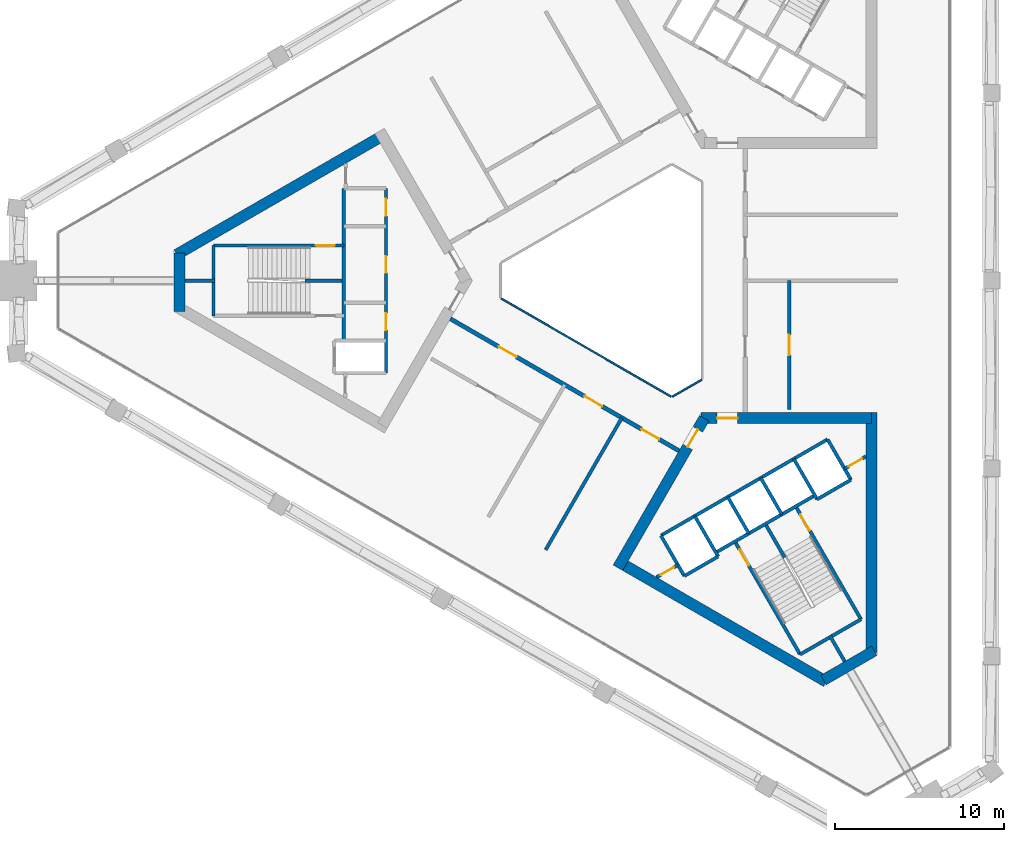
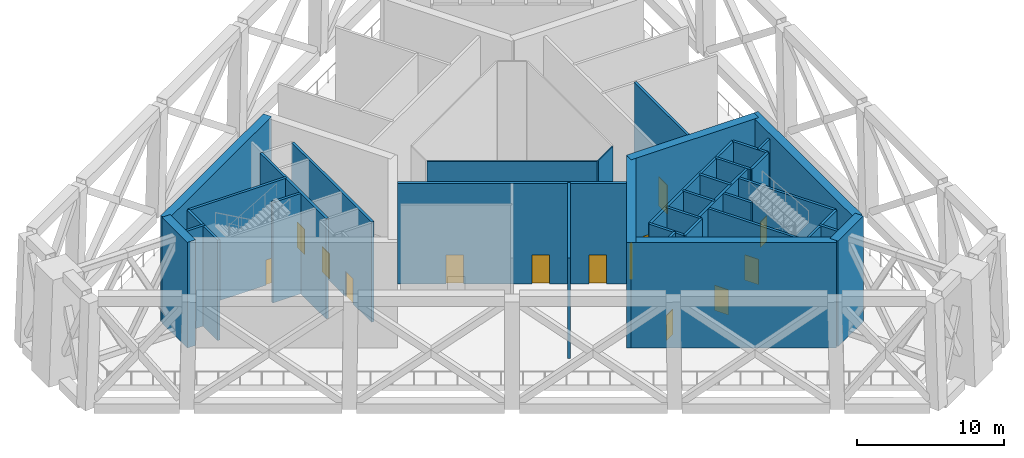
# One storey, part 4 of 8: 35 walls, 14 doors, 14 openings.
"""IFC4 building model written with IfcOpenShell, lengths in metres."""

from ifc_helpers import new_model, si_unit, direction, frame, frame_2d, origin, place, context, subcontext, project, spatial, rectangle, extrude, material, layer, layer_set, type_object, element, fill, save


model = new_model("IFC4")

# Units and contexts
model_context = context("Model", 3, precision=1e-05, world=origin(), true_north=direction((0.0, 1.0)))
body_context = subcontext(model_context, "Body", "Model", "MODEL_VIEW")
ifc_project = project(units=[si_unit("LENGTHUNIT", "METRE"), si_unit("AREAUNIT", "SQUARE_METRE"), si_unit("VOLUMEUNIT", "CUBIC_METRE"), si_unit("PLANEANGLEUNIT", "RADIAN"), si_unit("MASSUNIT", "GRAM", prefix="KILO")], contexts=[model_context])

# Site, building, storey
site_placement = place(None, origin())
site = spatial("IfcSite", under=ifc_project, at=site_placement, CompositionType="ELEMENT")
building_placement = place(site_placement, origin())
building = spatial("IfcBuilding", under=site, at=building_placement, Name="Jabali Bay Hotel Tower and Convention Centre", CompositionType="ELEMENT")
storey_placement = place(building_placement, frame((0.0, 0.0, 147.5)))
storey = spatial("IfcBuildingStorey", under=building, at=storey_placement, Name="L36", CompositionType="ELEMENT", Elevation=147.5)

# Walls
ifc_material_1 = material(Name="Fire-resistant glazing", Category="glass")
ifc_layer_1 = layer(ifc_material_1, 0.10009765625)
ifc_layer_set_1 = layer_set([ifc_layer_1], Name="Fire-resistant glazing")
wall_type_1 = type_object("IfcWallType", Name="Atrium glazed screen 100", PredefinedType="PARTITIONING", material=ifc_layer_set_1)
wall_1_placement = place(storey_placement, frame((67.7021484375, 78.947998046875, 0.0), z_axis=(0.0, 0.0, 1.0), x_axis=(0.866026658274, -0.499997827154, 0.0)))
element("IfcWall", 1, at=wall_1_placement, inside=storey, type_object=wall_type_1, Name="Atrium screen 5 L36", PredefinedType="PARTITIONING", context=body_context, shape_type="SweptSolid", body=[
    extrude(rectangle(XDim=11.58837890625, YDim=0.10009765625, at=frame_2d((5.794189453125, 0.0))), origin(), (0.0, 0.0, 1.0), 8.35009765625),
])
wall_2_placement = place(storey_placement, frame((77.7978515625, 73.15380859375, 0.0), z_axis=(0.0, 0.0, 1.0), x_axis=(0.866041268327, 0.499972520799, 0.0)))
element("IfcWall", 2, at=wall_2_placement, inside=storey, type_object=wall_type_1, Name="Atrium screen 6 L36", PredefinedType="PARTITIONING", context=body_context, shape_type="SweptSolid", body=[
    extrude(rectangle(XDim=2.0, YDim=0.10009765625, at=frame_2d((1.0, 0.0))), origin(), (0.0, 0.0, 1.0), 8.35009765625),
])
ifc_material_2 = material(Name="Concrete C40", Category="concrete")
ifc_layer_2 = layer(ifc_material_2, 0.199951171875)
ifc_layer_set_2 = layer_set([ifc_layer_2], Name="Concrete C40")
wall_type_2 = type_object("IfcWallType", Name="Core partition wall 200", PredefinedType="PARTITIONING", material=ifc_layer_set_2)
for number, where, z_axis, x_axis, name in (
    (3, (50.820068359375, 80.0, 0.0), (0.0, 0.0, 1.0), (-1.0, 0.0, 0.0), "Core wall 0.4 L36"),
    (4, (87.090087890625, 59.0595703125, 0.0), (0.0, 0.0, 1.0), (0.499944938281, -0.866057191349, 0.0), "Core wall 2.5 L36"),
):
    element("IfcWall", number, at=place(storey_placement, frame(where, z_axis=z_axis, x_axis=x_axis)), inside=storey, type_object=wall_type_2, Name=name, PredefinedType="PARTITIONING", context=body_context, shape_type="SweptSolid", body=[
        extrude(rectangle(XDim=1.773193359375, YDim=0.199951171875, at=frame_2d((0.88671875, 0.0))), origin(), (0.0, 0.0, 1.0), 8.35009765625),
    ])

# Wall, opening, door
wall_3_placement = place(storey_placement, frame((76.869873046875, 62.489013671875, 0.0), z_axis=(0.0, 0.0, 1.0), x_axis=(0.866054810376, 0.49994906283, 0.0)))
wall_3 = element("IfcWall", 5, at=wall_3_placement, inside=storey, type_object=wall_type_2, Name="Core wall 2.11 L36", PredefinedType="PARTITIONING", context=body_context, shape_type="SweptSolid", body=[
    extrude(rectangle(XDim=1.461181640625, YDim=0.199951171875, at=frame_2d((0.73046875, 0.0))), origin(), (0.0, 0.0, 1.0), 8.35009765625),
])
opening_1_placement = place(wall_3_placement, frame((0.280517578125, 0.0, 0.0)))
opening_1 = element("IfcOpeningElement", 6, at=opening_1_placement, cuts=wall_3, Name="Opening D800", PredefinedType="OPENING", context=body_context, shape_type="SweptSolid", body=[
    extrude(rectangle(XDim=0.89990234375, YDim=2.10009765625, at=frame_2d((0.449951171875, 1.050048828125))), frame((0.0, 0.1103515625, 0.0), z_axis=(0.0, -1.0, 0.0), x_axis=(1.0, 0.0, 0.0)), (0.0, 0.0, 1.0), 0.220947265625),
])
ifc_material_3 = material(Name="Fire-rated steel door", Category="steel")
door_type_1 = type_object("IfcDoorType", Name="Vestibule fire door 900 x 2100", OperationType="NOTDEFINED", PredefinedType="NOTDEFINED", material=ifc_material_3)
door_1_placement = place(opening_1_placement, origin())
door_1 = element("IfcDoor", 7, at=door_1_placement, inside=storey, type_object=door_type_1, Name="Vestibule fire door D800", OperationType="SINGLE_SWING_LEFT", OverallHeight=2.10009765625, OverallWidth=0.89990234375, PredefinedType="NOTDEFINED", context=body_context, shape_type="SweptSolid", body=[
    extrude(rectangle(XDim=0.89990234375, YDim=2.10009765625, at=frame_2d((0.449951171875, 1.050048828125))), frame((0.0, 0.02490234375, 0.0), z_axis=(0.0, -1.0, 0.0), x_axis=(1.0, 0.0, 0.0)), (0.0, 0.0, 1.0), 0.050048828125),
])
fill(opening_1, door_1)

wall_4_placement = place(storey_placement, frame((87.964599609375, 68.89453125, 0.0), z_axis=(0.0, 0.0, 1.0), x_axis=(0.866054810376, 0.49994906283, 0.0)))
wall_4 = element("IfcWall", 8, at=wall_4_placement, inside=storey, type_object=wall_type_2, Name="Core wall 2.12 L36", PredefinedType="PARTITIONING", context=body_context, shape_type="SweptSolid", body=[
    extrude(rectangle(XDim=1.461181640625, YDim=0.199951171875, at=frame_2d((0.73046875, 0.0))), origin(), (0.0, 0.0, 1.0), 8.35009765625),
])
opening_2_placement = place(wall_4_placement, frame((0.280517578125, 0.0, 0.0)))
opening_2 = element("IfcOpeningElement", 9, at=opening_2_placement, cuts=wall_4, Name="Opening D799", PredefinedType="OPENING", context=body_context, shape_type="SweptSolid", body=[
    extrude(rectangle(XDim=0.89990234375, YDim=2.10009765625, at=frame_2d((0.449951171875, 1.050048828125))), frame((0.0, 0.1103515625, 0.0), z_axis=(0.0, -1.0, 0.0), x_axis=(1.0, 0.0, 0.0)), (0.0, 0.0, 1.0), 0.220947265625),
])
door_2_placement = place(opening_2_placement, origin())
door_2 = element("IfcDoor", 10, at=door_2_placement, inside=storey, type_object=door_type_1, Name="Vestibule fire door D799", OperationType="SINGLE_SWING_LEFT", OverallHeight=2.10009765625, OverallWidth=0.89990234375, PredefinedType="NOTDEFINED", context=body_context, shape_type="SweptSolid", body=[
    extrude(rectangle(XDim=0.89990234375, YDim=2.10009765625, at=frame_2d((0.449951171875, 1.050048828125))), frame((0.0, 0.02490234375, 0.0), z_axis=(0.0, -1.0, 0.0), x_axis=(1.0, 0.0, 0.0)), (0.0, 0.0, 1.0), 0.050048828125),
])
fill(opening_2, door_2)

ifc_layer_3 = layer(ifc_material_2, 0.199951171875)
ifc_layer_set_3 = layer_set([ifc_layer_3], Name="Concrete C40")
wall_type_3 = type_object("IfcWallType", Name="Core stair wall 200", PredefinedType="SOLIDWALL", material=ifc_layer_set_3)
wall_5_placement = place(storey_placement, frame((58.419921875, 82.074951171875, 0.0), z_axis=(0.0, 0.0, 1.0), x_axis=(-1.0, 0.0, 0.0)))
wall_5 = element("IfcWall", 11, at=wall_5_placement, inside=storey, type_object=wall_type_3, Name="Core wall 0.2 L36", PredefinedType="SOLIDWALL", context=body_context, shape_type="SweptSolid", body=[
    extrude(rectangle(XDim=7.699951171875, YDim=0.199951171875, at=frame_2d((3.85009765625, 0.0))), origin(), (0.0, 0.0, 1.0), 8.35009765625),
])
opening_3_placement = place(wall_5_placement, frame((0.550048828125, 0.0, 0.0)))
opening_3 = element("IfcOpeningElement", 12, at=opening_3_placement, cuts=wall_5, Name="Opening D790", PredefinedType="OPENING", context=body_context, shape_type="SweptSolid", body=[
    extrude(rectangle(XDim=1.10009765625, YDim=2.10009765625, at=frame_2d((0.550048828125, 1.050048828125))), frame((0.0, 0.1103515625, 0.0), z_axis=(0.0, -1.0, 0.0), x_axis=(1.0, 0.0, 0.0)), (0.0, 0.0, 1.0), 0.220947265625),
])
door_type_2 = type_object("IfcDoorType", Name="Stair fire door 1100 x 2100", OperationType="NOTDEFINED", PredefinedType="NOTDEFINED", material=ifc_material_3)
door_3_placement = place(opening_3_placement, origin())
door_3 = element("IfcDoor", 13, at=door_3_placement, inside=storey, type_object=door_type_2, Name="Stair fire door D790", OperationType="SINGLE_SWING_LEFT", OverallHeight=2.10009765625, OverallWidth=1.10009765625, PredefinedType="NOTDEFINED", context=body_context, shape_type="SweptSolid", body=[
    extrude(rectangle(XDim=1.10009765625, YDim=2.10009765625, at=frame_2d((0.550048828125, 1.050048828125))), frame((0.0, 0.02490234375, 0.0), z_axis=(0.0, -1.0, 0.0), x_axis=(1.0, 0.0, 0.0)), (0.0, 0.0, 1.0), 0.050048828125),
])
fill(opening_3, door_3)

# Wall
wall_6_placement = place(storey_placement, frame((58.320068359375, 80.0, 0.0), z_axis=(0.0, 0.0, 1.0), x_axis=(-1.0, 0.0, 0.0)))
element("IfcWall", 14, at=wall_6_placement, inside=storey, type_object=wall_type_3, Name="Core wall 0.3 L36", PredefinedType="SOLIDWALL", context=body_context, shape_type="SweptSolid", body=[
    extrude(rectangle(XDim=2.199951171875, YDim=0.199951171875, at=frame_2d((1.10009765625, 0.0))), origin(), (0.0, 0.0, 1.0), 8.35009765625),
])

# Wall, openings, doors
wall_7_placement = place(storey_placement, frame((60.89990234375, 85.449951171875, 0.0), z_axis=(0.0, 0.0, 1.0), x_axis=(0.0, -1.0, 0.0)))
wall_7 = element("IfcWall", 15, at=wall_7_placement, inside=storey, type_object=wall_type_3, Name="Core wall 0.9 L36", PredefinedType="SOLIDWALL", context=body_context, shape_type="SweptSolid", body=[
    extrude(rectangle(XDim=10.89990234375, YDim=0.199951171875, at=frame_2d((5.449951171875, 0.0))), origin(), (0.0, 0.0, 1.0), 8.35009765625),
])
opening_4_placement = place(wall_7_placement, frame((0.625, 0.0, 0.0)))
opening_4 = element("IfcOpeningElement", 16, at=opening_4_placement, cuts=wall_7, Name="Opening D784", PredefinedType="OPENING", context=body_context, shape_type="SweptSolid", body=[
    extrude(rectangle(XDim=1.0, YDim=2.10009765625, at=frame_2d((0.5, 1.050048828125))), frame((0.0, 0.1103515625, 0.0), z_axis=(0.0, -1.0, 0.0), x_axis=(1.0, 0.0, 0.0)), (0.0, 0.0, 1.0), 0.220947265625),
])
opening_5_placement = place(wall_7_placement, frame((4.0, 0.0, 0.0)))
opening_5 = element("IfcOpeningElement", 17, at=opening_5_placement, cuts=wall_7, Name="Opening D785", PredefinedType="OPENING", context=body_context, shape_type="SweptSolid", body=[
    extrude(rectangle(XDim=1.0, YDim=2.10009765625, at=frame_2d((0.5, 1.050048828125))), frame((0.0, 0.1103515625, 0.0), z_axis=(0.0, -1.0, 0.0), x_axis=(1.0, 0.0, 0.0)), (0.0, 0.0, 1.0), 0.220947265625),
])
opening_6_placement = place(wall_7_placement, frame((7.375, 0.0, 0.0)))
opening_6 = element("IfcOpeningElement", 18, at=opening_6_placement, cuts=wall_7, Name="Opening D786", PredefinedType="OPENING", context=body_context, shape_type="SweptSolid", body=[
    extrude(rectangle(XDim=1.0, YDim=2.10009765625, at=frame_2d((0.5, 1.050048828125))), frame((0.0, 0.1103515625, 0.0), z_axis=(0.0, -1.0, 0.0), x_axis=(1.0, 0.0, 0.0)), (0.0, 0.0, 1.0), 0.220947265625),
])
door_type_3 = type_object("IfcDoorType", Name="Core room door 1000 x 2100", OperationType="NOTDEFINED", PredefinedType="NOTDEFINED", material=ifc_material_3)
door_4_placement = place(opening_4_placement, origin())
door_4 = element("IfcDoor", 19, at=door_4_placement, inside=storey, type_object=door_type_3, Name="Core room door D784", OperationType="SINGLE_SWING_RIGHT", OverallHeight=2.10009765625, OverallWidth=1.0, PredefinedType="NOTDEFINED", context=body_context, shape_type="SweptSolid", body=[
    extrude(rectangle(XDim=1.0, YDim=2.10009765625, at=frame_2d((0.5, 1.050048828125))), frame((0.0, 0.02490234375, 0.0), z_axis=(0.0, -1.0, 0.0), x_axis=(1.0, 0.0, 0.0)), (0.0, 0.0, 1.0), 0.050048828125),
])
fill(opening_4, door_4)
door_5_placement = place(opening_5_placement, origin())
door_5 = element("IfcDoor", 20, at=door_5_placement, inside=storey, type_object=door_type_3, Name="Core room door D785", OperationType="SINGLE_SWING_RIGHT", OverallHeight=2.10009765625, OverallWidth=1.0, PredefinedType="NOTDEFINED", context=body_context, shape_type="SweptSolid", body=[
    extrude(rectangle(XDim=1.0, YDim=2.10009765625, at=frame_2d((0.5, 1.050048828125))), frame((0.0, 0.02490234375, 0.0), z_axis=(0.0, -1.0, 0.0), x_axis=(1.0, 0.0, 0.0)), (0.0, 0.0, 1.0), 0.050048828125),
])
fill(opening_5, door_5)
door_6_placement = place(opening_6_placement, origin())
door_6 = element("IfcDoor", 21, at=door_6_placement, inside=storey, type_object=door_type_3, Name="Core room door D786", OperationType="SINGLE_SWING_RIGHT", OverallHeight=2.10009765625, OverallWidth=1.0, PredefinedType="NOTDEFINED", context=body_context, shape_type="SweptSolid", body=[
    extrude(rectangle(XDim=1.0, YDim=2.10009765625, at=frame_2d((0.5, 1.050048828125))), frame((0.0, 0.02490234375, 0.0), z_axis=(0.0, -1.0, 0.0), x_axis=(1.0, 0.0, 0.0)), (0.0, 0.0, 1.0), 0.050048828125),
])
fill(opening_6, door_6)

# Walls
wall_8_placement = place(storey_placement, frame((58.419921875, 85.449951171875, 0.0), z_axis=(0.0, 0.0, 1.0), x_axis=(0.0, -1.0, 0.0)))
element("IfcWall", 22, at=wall_8_placement, inside=storey, type_object=wall_type_3, Name="Core wall 0.12 L36", PredefinedType="SOLIDWALL", context=body_context, shape_type="SweptSolid", body=[
    extrude(rectangle(XDim=9.0, YDim=0.199951171875, at=frame_2d((4.5, 0.0))), origin(), (0.0, 0.0, 1.0), 8.35009765625),
])
wall_9_placement = place(storey_placement, frame((50.719970703125, 82.074951171875, 0.0), z_axis=(0.0, 0.0, 1.0), x_axis=(0.0, -1.0, 0.0)))
element("IfcWall", 23, at=wall_9_placement, inside=storey, type_object=wall_type_3, Name="Core wall 0.14 L36", PredefinedType="SOLIDWALL", context=body_context, shape_type="SweptSolid", body=[
    extrude(rectangle(XDim=4.14990234375, YDim=0.199951171875, at=frame_2d((2.074951171875, 0.0))), origin(), (0.0, 0.0, 1.0), 8.35009765625),
])
for number, where, z_axis, x_axis, name in (
    (24, (77.13525390625, 64.95166015625, 0.0), (0.0, 0.0, 1.0), (0.499996545922, -0.866027397988, 0.0), "Core wall 2.0 L36"),
    (25, (79.127197265625, 66.1015625, 0.0), (0.0, 0.0, 1.0), (0.499996545922, -0.866027397988, 0.0), "Core wall 2.1 L36"),
):
    element("IfcWall", number, at=place(storey_placement, frame(where, z_axis=z_axis, x_axis=x_axis)), inside=storey, type_object=wall_type_3, Name=name, PredefinedType="SOLIDWALL", context=body_context, shape_type="SweptSolid", body=[
        extrude(rectangle(XDim=2.75, YDim=0.199951171875, at=frame_2d((1.375, 0.0))), origin(), (0.0, 0.0, 1.0), 8.35009765625),
    ])

# Wall, opening, door
wall_10_placement = place(storey_placement, frame((81.492919921875, 64.603759765625, 0.0), z_axis=(0.0, 0.0, 1.0), x_axis=(0.500006057782, -0.866021906294, 0.0)))
wall_10 = element("IfcWall", 26, at=wall_10_placement, inside=storey, type_object=wall_type_3, Name="Core wall 2.2 L36", PredefinedType="SOLIDWALL", context=body_context, shape_type="SweptSolid", body=[
    extrude(rectangle(XDim=7.7001953125, YDim=0.199951171875, at=frame_2d((3.85009765625, 0.0))), origin(), (0.0, 0.0, 1.0), 8.35009765625),
])
opening_7_placement = place(wall_10_placement, frame((0.550048828125, 0.0, 0.0)))
opening_7 = element("IfcOpeningElement", 27, at=opening_7_placement, cuts=wall_10, Name="Opening D802", PredefinedType="OPENING", context=body_context, shape_type="SweptSolid", body=[
    extrude(rectangle(XDim=1.10009765625, YDim=2.10009765625, at=frame_2d((0.550048828125, 1.050048828125))), frame((0.0, 0.1103515625, 0.0), z_axis=(0.0, -1.0, 0.0), x_axis=(1.0, 0.0, 0.0)), (0.0, 0.0, 1.0), 0.220947265625),
])
door_7_placement = place(opening_7_placement, origin())
door_7 = element("IfcDoor", 28, at=door_7_placement, inside=storey, type_object=door_type_2, Name="Stair fire door D802", OperationType="SINGLE_SWING_LEFT", OverallHeight=2.10009765625, OverallWidth=1.10009765625, PredefinedType="NOTDEFINED", context=body_context, shape_type="SweptSolid", body=[
    extrude(rectangle(XDim=1.10009765625, YDim=2.10009765625, at=frame_2d((0.550048828125, 1.050048828125))), frame((0.0, 0.02490234375, 0.0), z_axis=(0.0, -1.0, 0.0), x_axis=(1.0, 0.0, 0.0)), (0.0, 0.0, 1.0), 0.050048828125),
])
fill(opening_7, door_7)

# Walls
wall_11_placement = place(storey_placement, frame((81.07568359375, 67.2265625, 0.0), z_axis=(0.0, 0.0, 1.0), x_axis=(0.50000366821, -0.866023285932, 0.0)))
element("IfcWall", 29, at=wall_11_placement, inside=storey, type_object=wall_type_3, Name="Core wall 2.3 L36", PredefinedType="SOLIDWALL", context=body_context, shape_type="SweptSolid", body=[
    extrude(rectangle(XDim=2.47998046875, YDim=0.199951171875, at=frame_2d((1.239990234375, 0.0))), origin(), (0.0, 0.0, 1.0), 8.35009765625),
])
wall_12_placement = place(storey_placement, frame((83.340087890625, 65.5546875, 0.0), z_axis=(0.0, 0.0, 1.0), x_axis=(0.499946605688, -0.86605622881, 0.0)))
element("IfcWall", 30, at=wall_12_placement, inside=storey, type_object=wall_type_3, Name="Core wall 2.4 L36", PredefinedType="SOLIDWALL", context=body_context, shape_type="SweptSolid", body=[
    extrude(rectangle(XDim=2.199951171875, YDim=0.199951171875, at=frame_2d((1.10009765625, 0.0))), origin(), (0.0, 0.0, 1.0), 8.35009765625),
])
wall_13_placement = place(storey_placement, frame((83.024169921875, 68.3515625, 0.0), z_axis=(0.0, 0.0, 1.0), x_axis=(0.50000366821, -0.866023285932, 0.0)))
element("IfcWall", 31, at=wall_13_placement, inside=storey, type_object=wall_type_3, Name="Core wall 2.6 L36", PredefinedType="SOLIDWALL", context=body_context, shape_type="SweptSolid", body=[
    extrude(rectangle(XDim=2.47998046875, YDim=0.199951171875, at=frame_2d((1.239990234375, 0.0))), origin(), (0.0, 0.0, 1.0), 8.35009765625),
])

# Wall, opening, door
wall_14_placement = place(storey_placement, frame((85.0869140625, 66.6787109375, 0.0), z_axis=(0.0, 0.0, 1.0), x_axis=(0.500019787375, -0.866013979237, 0.0)))
wall_14 = element("IfcWall", 32, at=wall_14_placement, inside=storey, type_object=wall_type_3, Name="Core wall 2.7 L36", PredefinedType="SOLIDWALL", context=body_context, shape_type="SweptSolid", body=[
    extrude(rectangle(XDim=7.699951171875, YDim=0.199951171875, at=frame_2d((3.85009765625, 0.0))), origin(), (0.0, 0.0, 1.0), 8.35009765625),
])
opening_8_placement = place(wall_14_placement, frame((0.550048828125, 0.0, 0.0)))
opening_8 = element("IfcOpeningElement", 33, at=opening_8_placement, cuts=wall_14, Name="Opening D801", PredefinedType="OPENING", context=body_context, shape_type="SweptSolid", body=[
    extrude(rectangle(XDim=1.10009765625, YDim=2.10009765625, at=frame_2d((0.550048828125, 1.050048828125))), frame((0.0, 0.1103515625, 0.0), z_axis=(0.0, -1.0, 0.0), x_axis=(1.0, 0.0, 0.0)), (0.0, 0.0, 1.0), 0.220947265625),
])
door_8_placement = place(opening_8_placement, origin())
door_8 = element("IfcDoor", 34, at=door_8_placement, inside=storey, type_object=door_type_2, Name="Stair fire door D801", OperationType="SINGLE_SWING_RIGHT", OverallHeight=2.10009765625, OverallWidth=1.10009765625, PredefinedType="NOTDEFINED", context=body_context, shape_type="SweptSolid", body=[
    extrude(rectangle(XDim=1.10009765625, YDim=2.10009765625, at=frame_2d((0.550048828125, 1.050048828125))), frame((0.0, 0.02490234375, 0.0), z_axis=(0.0, -1.0, 0.0), x_axis=(1.0, 0.0, 0.0)), (0.0, 0.0, 1.0), 0.050048828125),
])
fill(opening_8, door_8)

# Walls
for number, where, z_axis, x_axis, name in (
    (35, (84.972900390625, 69.4765625, 0.0), (0.0, 0.0, 1.0), (0.499996545922, -0.866027397988, 0.0), "Core wall 2.8 L36"),
    (36, (86.964599609375, 70.62646484375, 0.0), (0.0, 0.0, 1.0), (0.499996545922, -0.866027397988, 0.0), "Core wall 2.9 L36"),
):
    element("IfcWall", number, at=place(storey_placement, frame(where, z_axis=z_axis, x_axis=x_axis)), inside=storey, type_object=wall_type_3, Name=name, PredefinedType="SOLIDWALL", context=body_context, shape_type="SweptSolid", body=[
        extrude(rectangle(XDim=2.75, YDim=0.199951171875, at=frame_2d((1.375, 0.0))), origin(), (0.0, 0.0, 1.0), 8.35009765625),
    ])
wall_15_placement = place(storey_placement, frame((77.13525390625, 64.95166015625, 0.0), z_axis=(0.0, 0.0, 1.0), x_axis=(0.866031916153, 0.499988720078, 0.0)))
element("IfcWall", 37, at=wall_15_placement, inside=storey, type_object=wall_type_3, Name="Core wall 2.10 L36", PredefinedType="SOLIDWALL", context=body_context, shape_type="SweptSolid", body=[
    extrude(rectangle(XDim=11.349853515625, YDim=0.199951171875, at=frame_2d((5.6748046875, 0.0))), origin(), (0.0, 0.0, 1.0), 8.35009765625),
])
wall_16_placement = place(storey_placement, frame((80.3671875, 63.953857421875, 0.0), z_axis=(0.0, 0.0, 1.0), x_axis=(0.866026575979, 0.499997969693, 0.0)))
element("IfcWall", 38, at=wall_16_placement, inside=storey, type_object=wall_type_3, Name="Core wall 2.13 L36", PredefinedType="SOLIDWALL", context=body_context, shape_type="SweptSolid", body=[
    extrude(rectangle(XDim=6.75, YDim=0.199951171875, at=frame_2d((3.375, 0.0))), origin(), (0.0, 0.0, 1.0), 8.35009765625),
])
wall_17_placement = place(storey_placement, frame((78.51025390625, 62.570068359375, 0.0), z_axis=(0.0, 0.0, 1.0), x_axis=(0.866053019151, 0.499952165731, 0.0)))
element("IfcWall", 39, at=wall_17_placement, inside=storey, type_object=wall_type_3, Name="Core wall 2.14 L36", PredefinedType="SOLIDWALL", context=body_context, shape_type="SweptSolid", body=[
    extrude(rectangle(XDim=2.300048828125, YDim=0.199951171875, at=frame_2d((1.14990234375, 0.0))), origin(), (0.0, 0.0, 1.0), 8.35009765625),
])
wall_18_placement = place(storey_placement, frame((86.347900390625, 67.094970703125, 0.0), z_axis=(0.0, 0.0, 1.0), x_axis=(0.86602648383, 0.499998129301, 0.0)))
element("IfcWall", 40, at=wall_18_placement, inside=storey, type_object=wall_type_3, Name="Core wall 2.15 L36", PredefinedType="SOLIDWALL", context=body_context, shape_type="SweptSolid", body=[
    extrude(rectangle(XDim=2.2998046875, YDim=0.199951171875, at=frame_2d((1.14990234375, 0.0))), origin(), (0.0, 0.0, 1.0), 8.35009765625),
])
wall_19_placement = place(storey_placement, frame((85.343017578125, 57.935302734375, 0.0), z_axis=(0.0, 0.0, 1.0), x_axis=(0.866004344652, 0.500036473714, 0.0)))
element("IfcWall", 41, at=wall_19_placement, inside=storey, type_object=wall_type_3, Name="Core wall 2.16 L36", PredefinedType="SOLIDWALL", context=body_context, shape_type="SweptSolid", body=[
    extrude(rectangle(XDim=4.150146484375, YDim=0.199951171875, at=frame_2d((2.0751953125, 0.0))), origin(), (0.0, 0.0, 1.0), 8.35009765625),
])
ifc_material_4 = material(Name="Concrete C60", Category="concrete")
ifc_layer_4 = layer(ifc_material_4, 0.64990234375)
ifc_layer_set_4 = layer_set([ifc_layer_4], Name="Concrete C60")
wall_type_4 = type_object("IfcWallType", Name="Core wall 650", PredefinedType="SHEAR", material=ifc_layer_set_4)
wall_20_placement = place(storey_placement, frame((60.691162109375, 88.54541015625, 0.0), z_axis=(0.0, 0.0, 1.0), x_axis=(-0.866030607649, -0.499990986534, 0.0)))
element("IfcWall", 42, at=wall_20_placement, inside=storey, type_object=wall_type_4, Name="Core wall 1.2 L36", PredefinedType="SHEAR", context=body_context, shape_type="SweptSolid", body=[
    extrude(rectangle(XDim=14.008544921875, YDim=0.64990234375, at=frame_2d((7.00439453125, 0.0))), origin(), (0.0, 0.0, 1.0), 8.800048828125),
])
wall_21_placement = place(storey_placement, frame((48.721923828125, 81.635009765625, 0.0), z_axis=(0.0, 0.0, 1.0), x_axis=(0.0, -1.0, 0.0)))
element("IfcWall", 43, at=wall_21_placement, inside=storey, type_object=wall_type_4, Name="Core wall 1.3 L36", PredefinedType="SHEAR", context=body_context, shape_type="SweptSolid", body=[
    extrude(rectangle(XDim=3.457763671875, YDim=0.64990234375, at=frame_2d((1.72900390625, 0.0))), origin(), (0.0, 0.0, 1.0), 8.800048828125),
])

# Wall, opening, door
wall_22_placement = place(storey_placement, frame((79.687744140625, 71.880859375, 0.0), z_axis=(0.0, 0.0, 1.0), x_axis=(-0.49999822179, -0.866026430432, 0.0)))
wall_22 = element("IfcWall", 44, at=wall_22_placement, inside=storey, type_object=wall_type_4, Name="Core wall 3.1 L36", PredefinedType="SHEAR", context=body_context, shape_type="SweptSolid", body=[
    extrude(rectangle(XDim=10.1923828125, YDim=0.64990234375, at=frame_2d((5.09619140625, 0.0))), origin(), (0.0, 0.0, 1.0), 8.800048828125),
])
opening_9_placement = place(wall_22_placement, frame((0.762451171875, 0.0, 0.0)))
opening_9 = element("IfcOpeningElement", 45, at=opening_9_placement, cuts=wall_22, Name="Opening D797", PredefinedType="OPENING", context=body_context, shape_type="SweptSolid", body=[
    extrude(rectangle(XDim=1.199951171875, YDim=2.10009765625, at=frame_2d((0.60009765625, 1.050048828125))), frame((0.0, 0.33544921875, 0.0), z_axis=(0.0, -1.0, 0.0), x_axis=(1.0, 0.0, 0.0)), (0.0, 0.0, 1.0), 0.6708984375),
])
door_type_4 = type_object("IfcDoorType", Name="Corridor end fire door 1200 x 2100", OperationType="NOTDEFINED", PredefinedType="NOTDEFINED", material=ifc_material_3)
door_9_placement = place(opening_9_placement, origin())
door_9 = element("IfcDoor", 46, at=door_9_placement, inside=storey, type_object=door_type_4, Name="Corridor end fire door D797", OperationType="SINGLE_SWING_RIGHT", OverallHeight=2.10009765625, OverallWidth=1.199951171875, PredefinedType="NOTDEFINED", context=body_context, shape_type="SweptSolid", body=[
    extrude(rectangle(XDim=1.199951171875, YDim=2.10009765625, at=frame_2d((0.60009765625, 1.050048828125))), frame((0.0, 0.02490234375, 0.0), z_axis=(0.0, -1.0, 0.0), x_axis=(1.0, 0.0, 0.0)), (0.0, 0.0, 1.0), 0.050048828125),
])
fill(opening_9, door_9)

# Walls
wall_23_placement = place(storey_placement, frame((74.75390625, 63.33544921875, 0.0), z_axis=(0.0, 0.0, 1.0), x_axis=(0.866026250715, -0.49999853307, 0.0)))
element("IfcWall", 47, at=wall_23_placement, inside=storey, type_object=wall_type_4, Name="Core wall 3.2 L36", PredefinedType="SHEAR", context=body_context, shape_type="SweptSolid", body=[
    extrude(rectangle(XDim=14.00830078125, YDim=0.64990234375, at=frame_2d((7.004150390625, 0.0))), origin(), (0.0, 0.0, 1.0), 8.800048828125),
])
wall_24_placement = place(storey_placement, frame((86.72314453125, 56.425048828125, 0.0), z_axis=(0.0, 0.0, 1.0), x_axis=(0.866031550877, 0.499989352773, 0.0)))
element("IfcWall", 48, at=wall_24_placement, inside=storey, type_object=wall_type_4, Name="Core wall 3.3 L36", PredefinedType="SHEAR", context=body_context, shape_type="SweptSolid", body=[
    extrude(rectangle(XDim=3.45751953125, YDim=0.64990234375, at=frame_2d((1.728759765625, 0.0))), origin(), (0.0, 0.0, 1.0), 8.800048828125),
])
wall_25_placement = place(storey_placement, frame((89.554931640625, 58.06005859375, 0.0), z_axis=(0.0, 0.0, 1.0), x_axis=(0.0, 1.0, 0.0)))
element("IfcWall", 49, at=wall_25_placement, inside=storey, type_object=wall_type_4, Name="Core wall 3.4 L36", PredefinedType="SHEAR", context=body_context, shape_type="SweptSolid", body=[
    extrude(rectangle(XDim=14.145751953125, YDim=0.64990234375, at=frame_2d((7.07275390625, 0.0))), origin(), (0.0, 0.0, 1.0), 8.800048828125),
])

# Wall, opening, door
wall_26_placement = place(storey_placement, frame((89.554931640625, 71.880859375, 0.0), z_axis=(0.0, 0.0, 1.0), x_axis=(-1.0, 0.0, 0.0)))
wall_26 = element("IfcWall", 50, at=wall_26_placement, inside=storey, type_object=wall_type_4, Name="Core wall 3.5 L36", PredefinedType="SHEAR", context=body_context, shape_type="SweptSolid", body=[
    extrude(rectangle(XDim=10.054931640625, YDim=0.64990234375, at=frame_2d((5.02734375, 0.0))), origin(), (0.0, 0.0, 1.0), 8.800048828125),
])
opening_10_placement = place(wall_26_placement, frame((7.905029296875, 0.0, 0.0)))
opening_10 = element("IfcOpeningElement", 51, at=opening_10_placement, cuts=wall_26, Name="Opening D798", PredefinedType="OPENING", context=body_context, shape_type="SweptSolid", body=[
    extrude(rectangle(XDim=1.199951171875, YDim=2.10009765625, at=frame_2d((0.60009765625, 1.050048828125))), frame((0.0, 0.33544921875, 0.0), z_axis=(0.0, -1.0, 0.0), x_axis=(1.0, 0.0, 0.0)), (0.0, 0.0, 1.0), 0.6708984375),
])
door_10_placement = place(opening_10_placement, origin())
door_10 = element("IfcDoor", 52, at=door_10_placement, inside=storey, type_object=door_type_4, Name="Corridor end fire door D798", OperationType="SINGLE_SWING_LEFT", OverallHeight=2.10009765625, OverallWidth=1.199951171875, PredefinedType="NOTDEFINED", context=body_context, shape_type="SweptSolid", body=[
    extrude(rectangle(XDim=1.199951171875, YDim=2.10009765625, at=frame_2d((0.60009765625, 1.050048828125))), frame((0.0, 0.02490234375, 0.0), z_axis=(0.0, -1.0, 0.0), x_axis=(1.0, 0.0, 0.0)), (0.0, 0.0, 1.0), 0.050048828125),
])
fill(opening_10, door_10)

# Wall, openings, doors
ifc_layer_5 = layer(ifc_material_4, 0.25)
ifc_layer_set_5 = layer_set([ifc_layer_5], Name="Concrete C60")
wall_type_5 = type_object("IfcWallType", Name="Corridor wall 250", PredefinedType="SHEAR", material=ifc_layer_set_5)
wall_27_placement = place(storey_placement, frame((64.699951171875, 77.748291015625, 0.0), z_axis=(0.0, 0.0, 1.0), x_axis=(0.866026492143, -0.499998114903, 0.0)))
wall_27 = element("IfcWall", 53, at=wall_27_placement, inside=storey, type_object=wall_type_5, Name="Corridor wall 3 L36", PredefinedType="SHEAR", context=body_context, shape_type="SweptSolid", body=[
    extrude(rectangle(XDim=15.58837890625, YDim=0.25, at=frame_2d((7.794189453125, 0.0))), origin(), (0.0, 0.0, 1.0), 8.35009765625),
])
opening_11_placement = place(wall_27_placement, frame((3.297119140625, 0.0, 0.0)))
opening_11 = element("IfcOpeningElement", 54, at=opening_11_placement, cuts=wall_27, Name="Opening 3609", PredefinedType="OPENING", context=body_context, shape_type="SweptSolid", body=[
    extrude(rectangle(XDim=1.199951171875, YDim=2.39990234375, at=frame_2d((0.60009765625, 1.199951171875))), frame((0.0, 0.135498046875, 0.0), z_axis=(0.0, -1.0, 0.0), x_axis=(1.0, 0.0, 0.0)), (0.0, 0.0, 1.0), 0.27099609375),
])
opening_12_placement = place(wall_27_placement, frame((9.142822265625, 0.0, 0.0)))
opening_12 = element("IfcOpeningElement", 55, at=opening_12_placement, cuts=wall_27, Name="Opening 3611", PredefinedType="OPENING", context=body_context, shape_type="SweptSolid", body=[
    extrude(rectangle(XDim=1.199951171875, YDim=2.39990234375, at=frame_2d((0.60009765625, 1.199951171875))), frame((0.0, 0.135498046875, 0.0), z_axis=(0.0, -1.0, 0.0), x_axis=(1.0, 0.0, 0.0)), (0.0, 0.0, 1.0), 0.27099609375),
])
opening_13_placement = place(wall_27_placement, frame((13.039794921875, 0.0, 0.0)))
opening_13 = element("IfcOpeningElement", 56, at=opening_13_placement, cuts=wall_27, Name="Opening 3612", PredefinedType="OPENING", context=body_context, shape_type="SweptSolid", body=[
    extrude(rectangle(XDim=1.199951171875, YDim=2.39990234375, at=frame_2d((0.60009765625, 1.199951171875))), frame((0.0, 0.135498046875, 0.0), z_axis=(0.0, -1.0, 0.0), x_axis=(1.0, 0.0, 0.0)), (0.0, 0.0, 1.0), 0.27099609375),
])
ifc_material_5 = material(Name="Steel Q355B", Category="steel")
door_type_5 = type_object("IfcDoorType", Name="Plant room door 1200 x 2400", OperationType="NOTDEFINED", PredefinedType="NOTDEFINED", material=ifc_material_5)
door_11_placement = place(opening_12_placement, origin())
door_11 = element("IfcDoor", 57, at=door_11_placement, inside=storey, type_object=door_type_5, Name="Door 3611", OperationType="SINGLE_SWING_RIGHT", OverallHeight=2.39990234375, OverallWidth=1.199951171875, PredefinedType="NOTDEFINED", context=body_context, shape_type="SweptSolid", body=[
    extrude(rectangle(XDim=1.199951171875, YDim=2.39990234375, at=frame_2d((0.60009765625, 1.199951171875))), frame((0.0, 0.02490234375, 0.0), z_axis=(0.0, -1.0, 0.0), x_axis=(1.0, 0.0, 0.0)), (0.0, 0.0, 1.0), 0.050048828125),
])
fill(opening_12, door_11)
door_12_placement = place(opening_13_placement, origin())
door_12 = element("IfcDoor", 58, at=door_12_placement, inside=storey, type_object=door_type_5, Name="Door 3612", OperationType="SINGLE_SWING_RIGHT", OverallHeight=2.39990234375, OverallWidth=1.199951171875, PredefinedType="NOTDEFINED", context=body_context, shape_type="SweptSolid", body=[
    extrude(rectangle(XDim=1.199951171875, YDim=2.39990234375, at=frame_2d((0.60009765625, 1.199951171875))), frame((0.0, 0.02490234375, 0.0), z_axis=(0.0, -1.0, 0.0), x_axis=(1.0, 0.0, 0.0)), (0.0, 0.0, 1.0), 0.050048828125),
])
fill(opening_13, door_12)
door_type_6 = type_object("IfcDoorType", Name="Refuge hall door 1200 x 2400", OperationType="NOTDEFINED", PredefinedType="NOTDEFINED", material=ifc_material_5)
door_13_placement = place(opening_11_placement, origin())
door_13 = element("IfcDoor", 59, at=door_13_placement, inside=storey, type_object=door_type_6, Name="Door 3609", OperationType="SINGLE_SWING_LEFT", OverallHeight=2.39990234375, OverallWidth=1.199951171875, PredefinedType="NOTDEFINED", context=body_context, shape_type="SweptSolid", body=[
    extrude(rectangle(XDim=1.199951171875, YDim=2.39990234375, at=frame_2d((0.60009765625, 1.199951171875))), frame((0.0, 0.02490234375, 0.0), z_axis=(0.0, -1.0, 0.0), x_axis=(1.0, 0.0, 0.0)), (0.0, 0.0, 1.0), 0.050048828125),
])
fill(opening_11, door_13)

# Wall
ifc_material_6 = material(Name="Plasterboard on steel stud", Category="steel")
ifc_layer_6 = layer(ifc_material_6, 0.199951171875)
ifc_layer_set_6 = layer_set([ifc_layer_6], Name="Plasterboard on steel stud")
wall_type_6 = type_object("IfcWallType", Name="Partition 200 plant", PredefinedType="PARTITIONING", material=ifc_layer_set_6)
wall_28_placement = place(storey_placement, frame((70.324951171875, 64.1083984375, 0.0), z_axis=(0.0, 0.0, 1.0), x_axis=(0.5000018851, 0.866024315419, 0.0)))
element("IfcWall", 60, at=wall_28_placement, inside=storey, type_object=wall_type_6, Name="Partition P04 L36 009", PredefinedType="PARTITIONING", context=body_context, shape_type="SweptSolid", body=[
    extrude(rectangle(XDim=9.0, YDim=0.199951171875, at=frame_2d((4.5, 0.0))), origin(), (0.0, 0.0, 1.0), 8.35009765625),
])

# Wall, opening, door
ifc_layer_7 = layer(ifc_material_6, 0.199951171875)
ifc_layer_set_7 = layer_set([ifc_layer_7], Name="Plasterboard on steel stud")
wall_type_7 = type_object("IfcWallType", Name="Partition 200 refuge", PredefinedType="PARTITIONING", material=ifc_layer_set_7)
wall_29_placement = place(storey_placement, frame((84.699951171875, 72.40478515625, 0.0), z_axis=(0.0, 0.0, 1.0), x_axis=(0.0, 1.0, 0.0)))
wall_29 = element("IfcWall", 61, at=wall_29_placement, inside=storey, type_object=wall_type_7, Name="Partition P05 L36 001", PredefinedType="PARTITIONING", context=body_context, shape_type="SweptSolid", body=[
    extrude(rectangle(XDim=7.59521484375, YDim=0.199951171875, at=frame_2d((3.797607421875, 0.0))), origin(), (0.0, 0.0, 1.0), 8.35009765625),
])
opening_14_placement = place(wall_29_placement, frame((3.197998046875, 0.0, 0.0)))
opening_14 = element("IfcOpeningElement", 62, at=opening_14_placement, cuts=wall_29, Name="Opening 3602", PredefinedType="OPENING", context=body_context, shape_type="SweptSolid", body=[
    extrude(rectangle(XDim=1.199951171875, YDim=2.39990234375, at=frame_2d((0.60009765625, 1.199951171875))), frame((0.0, 0.1103515625, 0.0), z_axis=(0.0, -1.0, 0.0), x_axis=(1.0, 0.0, 0.0)), (0.0, 0.0, 1.0), 0.220947265625),
])
door_14_placement = place(opening_14_placement, origin())
door_14 = element("IfcDoor", 63, at=door_14_placement, inside=storey, type_object=door_type_6, Name="Door 3602", OperationType="SINGLE_SWING_RIGHT", OverallHeight=2.39990234375, OverallWidth=1.199951171875, PredefinedType="NOTDEFINED", context=body_context, shape_type="SweptSolid", body=[
    extrude(rectangle(XDim=1.199951171875, YDim=2.39990234375, at=frame_2d((0.60009765625, 1.199951171875))), frame((0.0, 0.02490234375, 0.0), z_axis=(0.0, -1.0, 0.0), x_axis=(1.0, 0.0, 0.0)), (0.0, 0.0, 1.0), 0.050048828125),
])
fill(opening_14, door_14)

save(model, "model.ifc")
